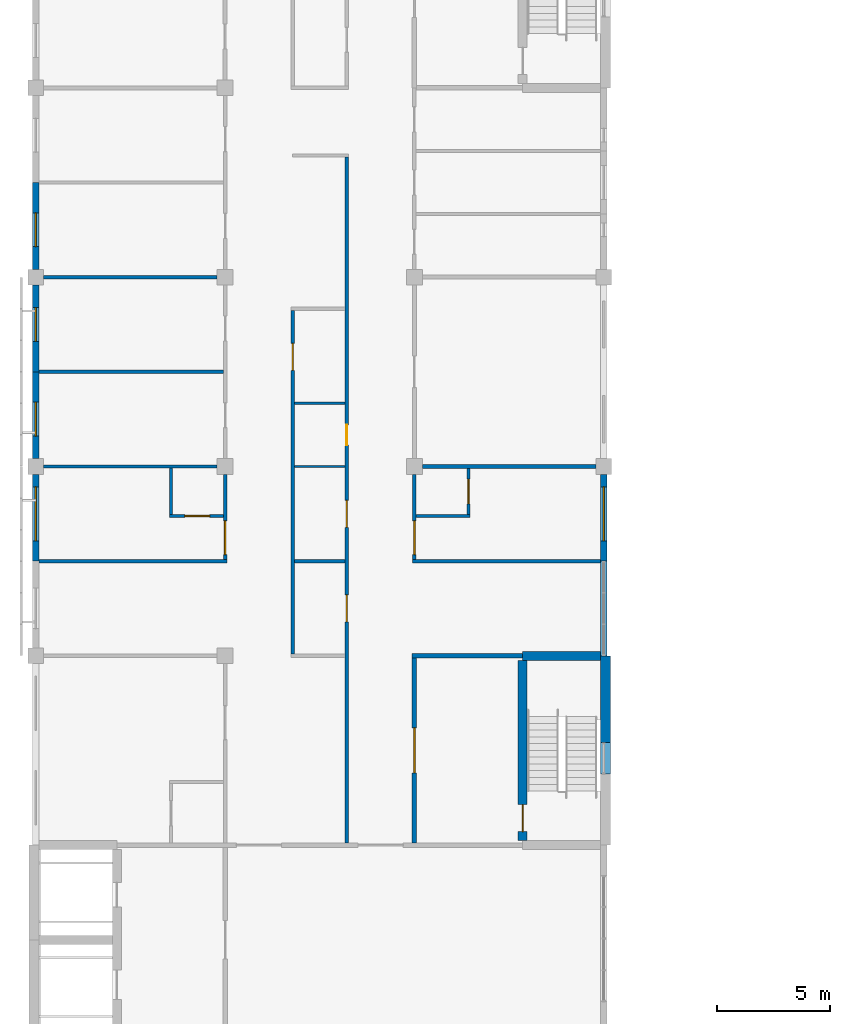
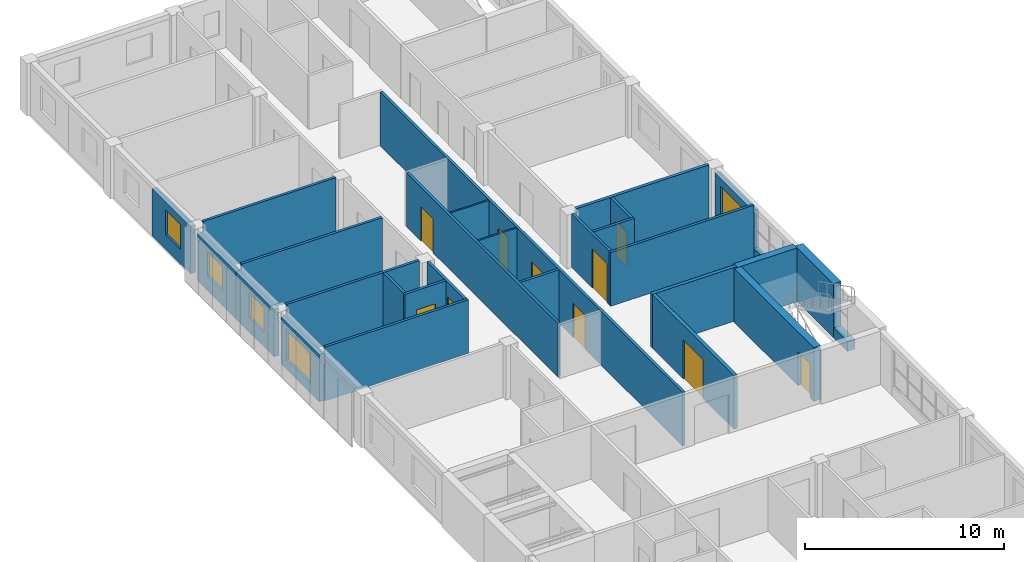
# One storey, part 35 of 48: 29 walls, 10 doors, 5 windows, 15 openings.
"""IFC4 building model written with IfcOpenShell, lengths in metres."""

import ifcopenshell
import ifcopenshell.guid

model = None  # the IFC model being written
_history = None  # IfcOwnerHistory: only IFC2X3 demands one
_inside = {}  # id of a spatial element -> (the spatial element, [elements in it])
_under = {}  # id of a project, library or spatial element -> (it, [spatial elements below it])
_declared = {}  # id of a project -> (the project, [libraries it declares])
_typed = {}  # id of a type object -> (the type object, [elements of that type])
_made_of = {}  # id of a material, layer set ... -> (it, [elements and type objects made of it])


def new_model(schema):
    """Start an empty IFC model of exactly this schema.

    Asked for "IFC4X3", IfcOpenShell would pick the latest addendum, in which some entities
    have other attributes; the version numbers below select the first issue.
    IFC2X3 requires an IfcOwnerHistory on every rooted entity: one is made here for all.
    """
    global model, _history
    if schema == "IFC4X3":
        model = ifcopenshell.file(schema_version=(4, 3, 0, 0))
    else:
        model = ifcopenshell.file(schema=schema)
    _inside.clear()
    _under.clear()
    _declared.clear()
    _typed.clear()
    _made_of.clear()
    _history = None
    if model.schema == "IFC2X3":
        org = make("IfcOrganization", Name="unknown")
        user = make(
            "IfcPersonAndOrganization",
            ThePerson=make("IfcPerson", FamilyName="unknown"),
            TheOrganization=org,
        )
        app = make(
            "IfcApplication",
            ApplicationDeveloper=org,
            Version="unknown",
            ApplicationFullName="unknown",
            ApplicationIdentifier="unknown",
        )
        _history = make(
            "IfcOwnerHistory",
            OwningUser=user,
            OwningApplication=app,
            ChangeAction="ADDED",
            CreationDate=0,
        )
    return model


def make(cls, **values):
    """One entity of the class cls with the attributes given. An attribute that is None is left unset."""
    return model.create_entity(
        cls, **{name: value for name, value in values.items() if value is not None}
    )


def rooted(cls, **values):
    """An entity with a GlobalId (a new one), such as an element, a storey or a relation."""
    return make(cls, GlobalId=ifcopenshell.guid.new(), OwnerHistory=_history, **values)


def si_unit(unit_type, name, prefix=None):
    """IfcSIUnit, for example si_unit("LENGTHUNIT", "METRE", prefix="MILLI")."""
    return make("IfcSIUnit", UnitType=unit_type, Prefix=prefix, Name=name)


def assignment(units):
    """IfcUnitAssignment: the units of a project."""
    return None if units is None else make("IfcUnitAssignment", Units=units)


def point(xyz):
    """IfcCartesianPoint."""
    return None if xyz is None else make("IfcCartesianPoint", Coordinates=xyz)


def direction(xyz):
    """IfcDirection."""
    return None if xyz is None else make("IfcDirection", DirectionRatios=xyz)


def frame(location, z_axis=None, x_axis=None):
    """IfcAxis2Placement3D, a coordinate frame: its origin and axes. An axis left out is left unset."""
    return make(
        "IfcAxis2Placement3D",
        Location=point(location),
        Axis=direction(z_axis),
        RefDirection=direction(x_axis),
    )


def frame_2d(location, x_axis=None):
    """IfcAxis2Placement2D, a coordinate frame in the plane: its origin and x axis."""
    return make(
        "IfcAxis2Placement2D", Location=point(location), RefDirection=direction(x_axis)
    )


def origin():
    """The frame at (0, 0, 0) with its axes left unset."""
    return frame((0.0, 0.0, 0.0))


def place(relative_to, where):
    """IfcLocalPlacement: puts the frame where relative to a parent placement (None: the world)."""
    return make(
        "IfcLocalPlacement", PlacementRelTo=relative_to, RelativePlacement=where
    )


def context(
    kind, dimensions, precision=None, world=None, true_north=None, identifier=None
):
    """IfcGeometricRepresentationContext, for example the 3D "Model" context."""
    return make(
        "IfcGeometricRepresentationContext",
        ContextIdentifier=identifier,
        ContextType=kind,
        CoordinateSpaceDimension=dimensions,
        Precision=precision,
        WorldCoordinateSystem=world,
        TrueNorth=true_north,
    )


def subcontext(parent, identifier, kind, view, scale=None):
    """IfcGeometricRepresentationSubContext, for example "Body" below "Model"."""
    return make(
        "IfcGeometricRepresentationSubContext",
        ContextIdentifier=identifier,
        ContextType=kind,
        ParentContext=parent,
        TargetScale=scale,
        TargetView=view,
    )


def project(units=None, contexts=None):
    """IfcProject with its units and contexts."""
    return rooted(
        "IfcProject",
        Name="project",
        RepresentationContexts=contexts,
        UnitsInContext=assignment(units),
    )


def spatial(cls, under=None, at=None, **own):
    """A site, building, storey or space (cls), placed at a placement, below another one or the project."""
    s = rooted(cls, ObjectPlacement=at, **own)
    if under is not None:
        _under.setdefault(under.id(), (under, []))[1].append(s)
    return s


def profile(cls, at=None, kind="AREA", **sizes):
    """A parametric profile (cls). Its sizes go by their IFC names, for example OverallWidth=200.0."""
    return make(cls, ProfileType=kind, Position=at, **sizes)


def rectangle(**sizes):
    """IfcRectangleProfileDef."""
    return profile("IfcRectangleProfileDef", **sizes)


def extrude(swept, where, along, depth):
    """IfcExtrudedAreaSolid: the profile swept, set in the frame where, extruded along a direction by depth."""
    return make(
        "IfcExtrudedAreaSolid",
        SweptArea=swept,
        Position=where,
        ExtrudedDirection=direction(along),
        Depth=depth,
    )


def shape(context_of_items, identifier, shape_type, items):
    """IfcShapeRepresentation: the items that make up one representation, for example the "Body"."""
    return make(
        "IfcShapeRepresentation",
        ContextOfItems=context_of_items,
        RepresentationIdentifier=identifier,
        RepresentationType=shape_type,
        Items=items,
    )


def material(Name=None, Category=None):
    """IfcMaterial."""
    return make("IfcMaterial", Name=Name, Category=Category)


def layer(
    of_material, thickness, ventilated=None, Name=None, Category=None, Priority=None
):
    """IfcMaterialLayer: one layer of a wall or slab, of a material (None: an air gap)."""
    return make(
        "IfcMaterialLayer",
        Material=of_material,
        LayerThickness=thickness,
        IsVentilated=ventilated,
        Name=Name,
        Category=Category,
        Priority=Priority,
    )


def layer_set(layers, Name=None):
    """IfcMaterialLayerSet."""
    return make("IfcMaterialLayerSet", MaterialLayers=layers, LayerSetName=Name)


def made_of(thing, what):
    """Note that an element or type object is made of a material, layer set ...; save() writes the relation."""
    if what is not None:
        _made_of.setdefault(what.id(), (what, []))[1].append(thing)
    return thing


def type_object(cls, material=None, **own):
    """A type object (cls), such as IfcWallType, which elements share."""
    return made_of(rooted(cls, **own), material)


def element(
    cls,
    number,
    at=None,
    inside=None,
    cuts=None,
    type_object=None,
    material=None,
    context=None,
    identifier="Body",
    shape_type=None,
    held_by="IfcProductDefinitionShape",
    body=None,
    shapes=None,
    **own,
):
    """One element of the class cls, such as IfcWall. Its Tag is "e" and its number.

    at: its placement. inside: the storey or other place that contains it. cuts: it is an
    opening in that element (IfcRelVoidsElement). A single representation is given by context,
    identifier, shape_type and body (its items); several are given by shapes. held_by: the class
    of the entity that holds the representations. save() writes the other relations.
    """
    e = rooted(cls, Tag="e%d" % number, ObjectPlacement=at, **own)
    if body is not None:
        shapes = [shape(context, identifier, shape_type, body)]
    if shapes is not None:
        e.Representation = make(held_by, Representations=shapes)
    if inside is not None:
        _inside.setdefault(inside.id(), (inside, []))[1].append(e)
    if cuts is not None:
        rooted(
            "IfcRelVoidsElement", RelatingBuildingElement=cuts, RelatedOpeningElement=e
        )
    if type_object is not None:
        _typed.setdefault(type_object.id(), (type_object, []))[1].append(e)
    return made_of(e, material)


def fill(opening, filler):
    """IfcRelFillsElement: the door or window that sits in an opening."""
    return rooted(
        "IfcRelFillsElement",
        RelatingOpeningElement=opening,
        RelatedBuildingElement=filler,
    )


def aggregate(whole, parts):
    """IfcRelAggregates: a whole, such as a stair, and the parts it consists of."""
    return rooted("IfcRelAggregates", RelatingObject=whole, RelatedObjects=parts)


def save(model, path):
    """Write the relations noted so far, then the file.

    IfcRelAggregates (storeys below a building ...), IfcRelContainedInSpatialStructure (elements
    in a storey), IfcRelDefinesByType, IfcRelAssociatesMaterial and IfcRelDeclares: one each for
    every whole, place, type object, material and project.
    """
    for whole, parts in _under.values():
        aggregate(whole, parts)
    for where, things in _inside.values():
        rooted(
            "IfcRelContainedInSpatialStructure",
            RelatedElements=things,
            RelatingStructure=where,
        )
    for kind, things in _typed.values():
        rooted("IfcRelDefinesByType", RelatedObjects=things, RelatingType=kind)
    for what, things in _made_of.values():
        rooted("IfcRelAssociatesMaterial", RelatedObjects=things, RelatingMaterial=what)
    for by, libraries in _declared.values():
        rooted("IfcRelDeclares", RelatingContext=by, RelatedDefinitions=libraries)
    model.write(path)


model = new_model("IFC4")

# Units and contexts
model_context = context("Model", 3, precision=1e-05, world=origin(), true_north=direction((0.0, 1.0)))
body_context = subcontext(model_context, "Body", "Model", "MODEL_VIEW")
ifc_project = project(units=[si_unit("LENGTHUNIT", "METRE"), si_unit("AREAUNIT", "SQUARE_METRE"), si_unit("VOLUMEUNIT", "CUBIC_METRE"), si_unit("PLANEANGLEUNIT", "RADIAN"), si_unit("MASSUNIT", "GRAM", prefix="KILO")], contexts=[model_context])

# Site, building, storey
site_placement = place(None, origin())
site = spatial("IfcSite", under=ifc_project, at=site_placement, CompositionType="ELEMENT")
building_placement = place(site_placement, origin())
building = spatial("IfcBuilding", under=site, at=building_placement, Name="Yavir Park General Hospital", CompositionType="ELEMENT")
storey_placement = place(building_placement, frame((0.0, 0.0, 26.10009765625)))
storey = spatial("IfcBuildingStorey", under=building, at=storey_placement, Name="L06", CompositionType="ELEMENT", Elevation=26.10009765625)

# Walls
ifc_material_1 = material(Name="Double-leaf gypsum board acoustic partition on staggered studs")
ifc_layer_1 = layer(ifc_material_1, 0.175048828125)
ifc_layer_set_1 = layer_set([ifc_layer_1], Name="Double-leaf gypsum board acoustic partition on staggered studs")
wall_type_1 = type_object("IfcWallType", Name="Acoustic partition 175", PredefinedType="PARTITIONING", material=ifc_layer_set_1)
wall_1_placement = place(storey_placement, frame((17.14990234375, 92.39990234375, 0.0), z_axis=(0.0, 0.0, 1.0), x_axis=(1.0, 0.0, 0.0)))
element("IfcWall", 1, at=wall_1_placement, inside=storey, type_object=wall_type_1, Name="AP175 L06-116", PredefinedType="PARTITIONING", context=body_context, shape_type="SweptSolid", body=[
    extrude(rectangle(XDim=7.7001953125, YDim=0.175048828125, at=frame_2d((3.85009765625, 0.0))), origin(), (0.0, 0.0, 1.0), 3.2998046875),
])
ifc_material_2 = material(Name="Double gypsum board fire partition on steel studs", Category="steel")
ifc_layer_2 = layer(ifc_material_2, 0.199951171875)
ifc_layer_set_2 = layer_set([ifc_layer_2], Name="Double gypsum board fire partition on steel studs")
wall_type_2 = type_object("IfcWallType", Name="Fire-rated partition 200, EI 60", PredefinedType="PARTITIONING", material=ifc_layer_set_2)
wall_2_placement = place(storey_placement, frame((16.699951171875, 84.0, 0.0), z_axis=(0.0, 0.0, 1.0), x_axis=(1.0, 0.0, 0.0)))
element("IfcWall", 2, at=wall_2_placement, inside=storey, type_object=wall_type_2, Name="FP20 L06-107", PredefinedType="PARTITIONING", context=body_context, shape_type="SweptSolid", body=[
    extrude(rectangle(XDim=4.900146484375, YDim=0.199951171875, at=frame_2d((2.4501953125, 0.0))), origin(), (0.0, 0.0, 1.0), 3.2998046875),
])

# Wall, opening, door
wall_3_placement = place(storey_placement, frame((16.800048828125, 75.699951171875, 0.0), z_axis=(0.0, 0.0, 1.0), x_axis=(0.0, 1.0, 0.0)))
wall_3 = element("IfcWall", 3, at=wall_3_placement, inside=storey, type_object=wall_type_2, Name="FP20 L06-181", PredefinedType="PARTITIONING", context=body_context, shape_type="SweptSolid", body=[
    extrude(rectangle(XDim=8.199951171875, YDim=0.199951171875, at=frame_2d((4.10009765625, 0.0))), origin(), (0.0, 0.0, 1.0), 3.2998046875),
])
opening_1_placement = place(wall_3_placement, frame((3.10009765625, 0.0, 0.0)))
opening_1 = element("IfcOpeningElement", 4, at=opening_1_placement, cuts=wall_3, Name="Opening L06.D120", PredefinedType="OPENING", context=body_context, shape_type="SweptSolid", body=[
    extrude(rectangle(XDim=2.0, YDim=2.39990234375, at=frame_2d((1.0, 1.199951171875))), frame((0.0, 0.10986328125, 0.0), z_axis=(0.0, -1.0, 0.0), x_axis=(1.0, 0.0, 0.0)), (0.0, 0.0, 1.0), 0.219970703125),
])
ifc_material_3 = material(Name="Steel frame, fire-resisting leaves with vision panels", Category="steel")
door_type_1 = type_object("IfcDoorType", Name="Double fire door with vision panels 2000 x 2400, EI 60", OperationType="DOUBLE_DOOR_SINGLE_SWING", PredefinedType="DOOR", material=ifc_material_3)
door_1_placement = place(opening_1_placement, origin())
door_1 = element("IfcDoor", 5, at=door_1_placement, inside=storey, type_object=door_type_1, Name="L06.D120", OperationType="SINGLE_SWING_LEFT", OverallHeight=2.39990234375, OverallWidth=2.0, PredefinedType="DOOR", context=body_context, shape_type="SweptSolid", body=[
    extrude(rectangle(XDim=2.0, YDim=2.39990234375, at=frame_2d((1.0, 1.199951171875))), frame((0.0, 0.030029296875, 0.0), z_axis=(0.0, -1.0, 0.0), x_axis=(1.0, 0.0, 0.0)), (0.0, 0.0, 1.0), 0.06005859375),
])
fill(opening_1, door_1)

# Walls
ifc_material_4 = material(Name="Gypsum board partition on steel studs", Category="steel")
ifc_layer_3 = layer(ifc_material_4, 0.10009765625)
ifc_layer_set_3 = layer_set([ifc_layer_3], Name="Gypsum board partition on steel studs")
wall_type_3 = type_object("IfcWallType", Name="Gypsum board partition 100", PredefinedType="PARTITIONING", material=ifc_layer_set_3)
for number, where, z_axis, x_axis, name in (
    (6, (11.47509765625, 92.39990234375, 0.0), (0.0, 0.0, 1.0), (1.0, 0.0, 0.0), "P10 L06-115"),
    (7, (11.47509765625, 95.199951171875, 0.0), (0.0, 0.0, 1.0), (1.0, 0.0, 0.0), "P10 L06-117"),
):
    element("IfcWall", number, at=place(storey_placement, frame(where, z_axis=z_axis, x_axis=x_axis)), inside=storey, type_object=wall_type_3, Name=name, PredefinedType="PARTITIONING", context=body_context, shape_type="SweptSolid", body=[
        extrude(rectangle(XDim=2.25, YDim=0.10009765625, at=frame_2d((1.125, 0.0))), origin(), (0.0, 0.0, 1.0), 3.2998046875),
    ])
ifc_material_5 = material(Name="Gypsum board partition on steel studs", Category="steel")
ifc_layer_4 = layer(ifc_material_5, 0.14990234375)
ifc_layer_set_4 = layer_set([ifc_layer_4], Name="Gypsum board partition on steel studs")
wall_type_4 = type_object("IfcWallType", Name="Gypsum board partition 150", PredefinedType="PARTITIONING", material=ifc_layer_set_4)
wall_4_placement = place(storey_placement, frame((0.14990234375, 88.199951171875, 0.0), z_axis=(0.0, 0.0, 1.0), x_axis=(1.0, 0.0, 0.0)))
element("IfcWall", 8, at=wall_4_placement, inside=storey, type_object=wall_type_4, Name="P15 L06-109", PredefinedType="PARTITIONING", context=body_context, shape_type="SweptSolid", body=[
    extrude(rectangle(XDim=8.3251953125, YDim=0.14990234375, at=frame_2d((4.16259765625, 0.0))), origin(), (0.0, 0.0, 1.0), 3.2998046875),
])
wall_5_placement = place(storey_placement, frame((11.47509765625, 88.199951171875, 0.0), z_axis=(0.0, 0.0, 1.0), x_axis=(1.0, 0.0, 0.0)))
element("IfcWall", 9, at=wall_5_placement, inside=storey, type_object=wall_type_4, Name="P15 L06-110", PredefinedType="PARTITIONING", context=body_context, shape_type="SweptSolid", body=[
    extrude(rectangle(XDim=2.25, YDim=0.14990234375, at=frame_2d((1.125, 0.0))), origin(), (0.0, 0.0, 1.0), 3.2998046875),
])
wall_6_placement = place(storey_placement, frame((16.72509765625, 88.199951171875, 0.0), z_axis=(0.0, 0.0, 1.0), x_axis=(1.0, 0.0, 0.0)))
element("IfcWall", 10, at=wall_6_placement, inside=storey, type_object=wall_type_4, Name="P15 L06-111", PredefinedType="PARTITIONING", context=body_context, shape_type="SweptSolid", body=[
    extrude(rectangle(XDim=8.324951171875, YDim=0.14990234375, at=frame_2d((4.16259765625, 0.0))), origin(), (0.0, 0.0, 1.0), 3.2998046875),
])

# Wall, opening, door
wall_7_placement = place(storey_placement, frame((5.925048828125, 90.199951171875, 0.0), z_axis=(0.0, 0.0, 1.0), x_axis=(1.0, 0.0, 0.0)))
wall_7 = element("IfcWall", 11, at=wall_7_placement, inside=storey, type_object=wall_type_4, Name="P15 L06-112", PredefinedType="PARTITIONING", context=body_context, shape_type="SweptSolid", body=[
    extrude(rectangle(XDim=2.39990234375, YDim=0.14990234375, at=frame_2d((1.199951171875, 0.0))), origin(), (0.0, 0.0, 1.0), 3.2998046875),
])
opening_2_placement = place(wall_7_placement, frame((0.6875, 0.0, 0.0)))
opening_2 = element("IfcOpeningElement", 12, at=opening_2_placement, cuts=wall_7, Name="Opening L06.D073", PredefinedType="OPENING", context=body_context, shape_type="SweptSolid", body=[
    extrude(rectangle(XDim=1.10009765625, YDim=2.10009765625, at=frame_2d((0.550048828125, 1.050048828125))), frame((0.0, 0.0849609375, 0.0), z_axis=(0.0, -1.0, 0.0), x_axis=(1.0, 0.0, 0.0)), (0.0, 0.0, 1.0), 0.169921875),
])
ifc_material_6 = material(Name="Hollow metal frame, solid-core timber leaf", Category="wood")
door_type_2 = type_object("IfcDoorType", Name="Single swing door 1100 x 2100", OperationType="SINGLE_SWING_LEFT", PredefinedType="DOOR", material=ifc_material_6)
door_2_placement = place(opening_2_placement, origin())
door_2 = element("IfcDoor", 13, at=door_2_placement, inside=storey, type_object=door_type_2, Name="L06.D073", OperationType="SINGLE_SWING_RIGHT", OverallHeight=2.10009765625, OverallWidth=1.10009765625, PredefinedType="DOOR", context=body_context, shape_type="SweptSolid", body=[
    extrude(rectangle(XDim=1.10009765625, YDim=2.10009765625, at=frame_2d((0.550048828125, 1.050048828125))), frame((0.0, 0.02490234375, 0.0), z_axis=(0.0, -1.0, 0.0), x_axis=(1.0, 0.0, 0.0)), (0.0, 0.0, 1.0), 0.050048828125),
])
fill(opening_2, door_2)

# Walls
wall_8_placement = place(storey_placement, frame((16.875, 90.199951171875, 0.0), z_axis=(0.0, 0.0, 1.0), x_axis=(1.0, 0.0, 0.0)))
element("IfcWall", 14, at=wall_8_placement, inside=storey, type_object=wall_type_4, Name="P15 L06-113", PredefinedType="PARTITIONING", context=body_context, shape_type="SweptSolid", body=[
    extrude(rectangle(XDim=2.39990234375, YDim=0.14990234375, at=frame_2d((1.199951171875, 0.0))), origin(), (0.0, 0.0, 1.0), 3.2998046875),
])
wall_9_placement = place(storey_placement, frame((0.35009765625, 92.39990234375, 0.0), z_axis=(0.0, 0.0, 1.0), x_axis=(1.0, 0.0, 0.0)))
element("IfcWall", 15, at=wall_9_placement, inside=storey, type_object=wall_type_4, Name="P15 L06-114", PredefinedType="PARTITIONING", context=body_context, shape_type="SweptSolid", body=[
    extrude(rectangle(XDim=7.699951171875, YDim=0.14990234375, at=frame_2d((3.85009765625, 0.0))), origin(), (0.0, 0.0, 1.0), 3.2998046875),
])
wall_10_placement = place(storey_placement, frame((0.14990234375, 96.60009765625, 0.0), z_axis=(0.0, 0.0, 1.0), x_axis=(1.0, 0.0, 0.0)))
element("IfcWall", 16, at=wall_10_placement, inside=storey, type_object=wall_type_4, Name="P15 L06-118", PredefinedType="PARTITIONING", context=body_context, shape_type="SweptSolid", body=[
    extrude(rectangle(XDim=8.175048828125, YDim=0.14990234375, at=frame_2d((4.08740234375, 0.0))), origin(), (0.0, 0.0, 1.0), 3.2998046875),
])
wall_11_placement = place(storey_placement, frame((0.35009765625, 100.800048828125, 0.0), z_axis=(0.0, 0.0, 1.0), x_axis=(1.0, 0.0, 0.0)))
element("IfcWall", 17, at=wall_11_placement, inside=storey, type_object=wall_type_4, Name="P15 L06-120", PredefinedType="PARTITIONING", context=body_context, shape_type="SweptSolid", body=[
    extrude(rectangle(XDim=7.699951171875, YDim=0.14990234375, at=frame_2d((3.85009765625, 0.0))), origin(), (0.0, 0.0, 1.0), 3.2998046875),
])
wall_12_placement = place(storey_placement, frame((6.0, 90.27490234375, 0.0), z_axis=(0.0, 0.0, 1.0), x_axis=(0.0, 1.0, 0.0)))
element("IfcWall", 18, at=wall_12_placement, inside=storey, type_object=wall_type_4, Name="P15 L06-145", PredefinedType="PARTITIONING", context=body_context, shape_type="SweptSolid", body=[
    extrude(rectangle(XDim=2.050048828125, YDim=0.14990234375, at=frame_2d((1.02490234375, 0.0))), origin(), (0.0, 0.0, 1.0), 3.2998046875),
])

# Wall, opening, door
wall_13_placement = place(storey_placement, frame((8.39990234375, 88.27490234375, 0.0), z_axis=(0.0, 0.0, 1.0), x_axis=(0.0, 1.0, 0.0)))
wall_13 = element("IfcWall", 19, at=wall_13_placement, inside=storey, type_object=wall_type_4, Name="P15 L06-157", PredefinedType="PARTITIONING", context=body_context, shape_type="SweptSolid", body=[
    extrude(rectangle(XDim=3.775146484375, YDim=0.14990234375, at=frame_2d((1.8876953125, 0.0))), origin(), (0.0, 0.0, 1.0), 3.2998046875),
])
opening_3_placement = place(wall_13_placement, frame((0.21240234375, 0.0, 0.0)))
opening_3 = element("IfcOpeningElement", 20, at=opening_3_placement, cuts=wall_13, Name="Opening L06.D095", PredefinedType="OPENING", context=body_context, shape_type="SweptSolid", body=[
    extrude(rectangle(XDim=1.5, YDim=2.39990234375, at=frame_2d((0.75, 1.199951171875))), frame((0.0, 0.0849609375, 0.0), z_axis=(0.0, -1.0, 0.0), x_axis=(1.0, 0.0, 0.0)), (0.0, 0.0, 1.0), 0.169921875),
])
ifc_material_7 = material(Name="Solid-core timber leaves, push plates, kick plates", Category="wood")
door_type_3 = type_object("IfcDoorType", Name="Bed door, unequal leaves 1500 x 2400", OperationType="DOUBLE_DOOR_SINGLE_SWING", PredefinedType="DOOR", material=ifc_material_7)
door_3_placement = place(opening_3_placement, origin())
door_3 = element("IfcDoor", 21, at=door_3_placement, inside=storey, type_object=door_type_3, Name="L06.D095", OperationType="SINGLE_SWING_LEFT", OverallHeight=2.39990234375, OverallWidth=1.5, PredefinedType="DOOR", context=body_context, shape_type="SweptSolid", body=[
    extrude(rectangle(XDim=1.5, YDim=2.39990234375, at=frame_2d((0.75, 1.199951171875))), frame((0.0, 0.030029296875, 0.0), z_axis=(0.0, -1.0, 0.0), x_axis=(1.0, 0.0, 0.0)), (0.0, 0.0, 1.0), 0.06005859375),
])
fill(opening_3, door_3)

wall_14_placement = place(storey_placement, frame((11.39990234375, 84.074951171875, 0.0), z_axis=(0.0, 0.0, 1.0), x_axis=(0.0, 1.0, 0.0)))
wall_14 = element("IfcWall", 22, at=wall_14_placement, inside=storey, type_object=wall_type_4, Name="P15 L06-166", PredefinedType="PARTITIONING", context=body_context, shape_type="SweptSolid", body=[
    extrude(rectangle(XDim=15.25, YDim=0.14990234375, at=frame_2d((7.625, 0.0))), origin(), (0.0, 0.0, 1.0), 3.2998046875),
])
opening_4_placement = place(wall_14_placement, frame((12.58740234375, 0.0, 0.0)))
opening_4 = element("IfcOpeningElement", 23, at=opening_4_placement, cuts=wall_14, Name="Opening L06.D106", PredefinedType="OPENING", context=body_context, shape_type="SweptSolid", body=[
    extrude(rectangle(XDim=1.199951171875, YDim=2.10009765625, at=frame_2d((0.60009765625, 1.050048828125))), frame((0.0, 0.0849609375, 0.0), z_axis=(0.0, -1.0, 0.0), x_axis=(1.0, 0.0, 0.0)), (0.0, 0.0, 1.0), 0.169921875),
])
ifc_material_8 = material(Name="Hollow metal frame, solid-core timber leaf", Category="wood")
door_type_4 = type_object("IfcDoorType", Name="Single swing door 1200 x 2100", OperationType="SINGLE_SWING_LEFT", PredefinedType="DOOR", material=ifc_material_8)
door_4_placement = place(opening_4_placement, origin())
door_4 = element("IfcDoor", 24, at=door_4_placement, inside=storey, type_object=door_type_4, Name="L06.D106", OperationType="SINGLE_SWING_LEFT", OverallHeight=2.10009765625, OverallWidth=1.199951171875, PredefinedType="DOOR", context=body_context, shape_type="SweptSolid", body=[
    extrude(rectangle(XDim=1.199951171875, YDim=2.10009765625, at=frame_2d((0.60009765625, 1.050048828125))), frame((0.0, 0.02490234375, 0.0), z_axis=(0.0, -1.0, 0.0), x_axis=(1.0, 0.0, 0.0)), (0.0, 0.0, 1.0), 0.050048828125),
])
fill(opening_4, door_4)

# Wall, openings, doors
wall_15_placement = place(storey_placement, frame((13.800048828125, 75.699951171875, 0.0), z_axis=(0.0, 0.0, 1.0), x_axis=(0.0, 1.0, 0.0)))
wall_15 = element("IfcWall", 25, at=wall_15_placement, inside=storey, type_object=wall_type_4, Name="P15 L06-171", PredefinedType="PARTITIONING", context=body_context, shape_type="SweptSolid", body=[
    extrude(rectangle(XDim=30.425048828125, YDim=0.14990234375, at=frame_2d((15.21240234375, 0.0))), origin(), (0.0, 0.0, 1.0), 3.2998046875),
])
opening_5_placement = place(wall_15_placement, frame((9.800048828125, 0.0, 0.0)))
opening_5 = element("IfcOpeningElement", 26, at=opening_5_placement, cuts=wall_15, Name="Opening L06.D110", PredefinedType="OPENING", context=body_context, shape_type="SweptSolid", body=[
    extrude(rectangle(XDim=1.199951171875, YDim=2.10009765625, at=frame_2d((0.60009765625, 1.050048828125))), frame((0.0, 0.0849609375, 0.0), z_axis=(0.0, -1.0, 0.0), x_axis=(1.0, 0.0, 0.0)), (0.0, 0.0, 1.0), 0.169921875),
])
opening_6_placement = place(wall_15_placement, frame((14.0, 0.0, 0.0)))
opening_6 = element("IfcOpeningElement", 27, at=opening_6_placement, cuts=wall_15, Name="Opening L06.D111", PredefinedType="OPENING", context=body_context, shape_type="SweptSolid", body=[
    extrude(rectangle(XDim=1.199951171875, YDim=2.10009765625, at=frame_2d((0.60009765625, 1.050048828125))), frame((0.0, 0.0849609375, 0.0), z_axis=(0.0, -1.0, 0.0), x_axis=(1.0, 0.0, 0.0)), (0.0, 0.0, 1.0), 0.169921875),
])
opening_7_placement = place(wall_15_placement, frame((17.64990234375, 0.0, 0.0)))
opening_7 = element("IfcOpeningElement", 28, at=opening_7_placement, cuts=wall_15, Name="Opening L06.D112", PredefinedType="OPENING", context=body_context, shape_type="SweptSolid", body=[
    extrude(rectangle(XDim=0.89990234375, YDim=2.10009765625, at=frame_2d((0.449951171875, 1.050048828125))), frame((0.0, 0.0849609375, 0.0), z_axis=(0.0, -1.0, 0.0), x_axis=(1.0, 0.0, 0.0)), (0.0, 0.0, 1.0), 0.169921875),
])
ifc_material_9 = material(Name="Timber frame, hollow-core leaf", Category="wood")
door_type_5 = type_object("IfcDoorType", Name="Light cupboard door 900 x 2100", OperationType="SINGLE_SWING_LEFT", PredefinedType="DOOR", material=ifc_material_9)
door_5_placement = place(opening_7_placement, origin())
door_5 = element("IfcDoor", 29, at=door_5_placement, inside=storey, type_object=door_type_5, Name="L06.D112", OperationType="SINGLE_SWING_RIGHT", OverallHeight=2.10009765625, OverallWidth=0.89990234375, PredefinedType="DOOR", context=body_context, shape_type="SweptSolid", body=[
    extrude(rectangle(XDim=0.89990234375, YDim=2.10009765625, at=frame_2d((0.449951171875, 1.050048828125))), frame((0.0, 0.02001953125, 0.0), z_axis=(0.0, -1.0, 0.0), x_axis=(1.0, 0.0, 0.0)), (0.0, 0.0, 1.0), 0.0400390625),
])
fill(opening_7, door_5)
door_6_placement = place(opening_5_placement, origin())
door_6 = element("IfcDoor", 30, at=door_6_placement, inside=storey, type_object=door_type_4, Name="L06.D110", OperationType="SINGLE_SWING_RIGHT", OverallHeight=2.10009765625, OverallWidth=1.199951171875, PredefinedType="DOOR", context=body_context, shape_type="SweptSolid", body=[
    extrude(rectangle(XDim=1.199951171875, YDim=2.10009765625, at=frame_2d((0.60009765625, 1.050048828125))), frame((0.0, 0.02490234375, 0.0), z_axis=(0.0, -1.0, 0.0), x_axis=(1.0, 0.0, 0.0)), (0.0, 0.0, 1.0), 0.050048828125),
])
fill(opening_5, door_6)
door_7_placement = place(opening_6_placement, origin())
door_7 = element("IfcDoor", 31, at=door_7_placement, inside=storey, type_object=door_type_4, Name="L06.D111", OperationType="SINGLE_SWING_RIGHT", OverallHeight=2.10009765625, OverallWidth=1.199951171875, PredefinedType="DOOR", context=body_context, shape_type="SweptSolid", body=[
    extrude(rectangle(XDim=1.199951171875, YDim=2.10009765625, at=frame_2d((0.60009765625, 1.050048828125))), frame((0.0, 0.02490234375, 0.0), z_axis=(0.0, -1.0, 0.0), x_axis=(1.0, 0.0, 0.0)), (0.0, 0.0, 1.0), 0.050048828125),
])
fill(opening_6, door_7)

# Wall, opening, door
wall_16_placement = place(storey_placement, frame((16.800048828125, 88.27490234375, 0.0), z_axis=(0.0, 0.0, 1.0), x_axis=(0.0, 1.0, 0.0)))
wall_16 = element("IfcWall", 32, at=wall_16_placement, inside=storey, type_object=wall_type_4, Name="P15 L06-182", PredefinedType="PARTITIONING", context=body_context, shape_type="SweptSolid", body=[
    extrude(rectangle(XDim=3.775146484375, YDim=0.14990234375, at=frame_2d((1.8876953125, 0.0))), origin(), (0.0, 0.0, 1.0), 3.2998046875),
])
opening_8_placement = place(wall_16_placement, frame((0.21240234375, 0.0, 0.0)))
opening_8 = element("IfcOpeningElement", 33, at=opening_8_placement, cuts=wall_16, Name="Opening L06.D121", PredefinedType="OPENING", context=body_context, shape_type="SweptSolid", body=[
    extrude(rectangle(XDim=1.5, YDim=2.39990234375, at=frame_2d((0.75, 1.199951171875))), frame((0.0, 0.0849609375, 0.0), z_axis=(0.0, -1.0, 0.0), x_axis=(1.0, 0.0, 0.0)), (0.0, 0.0, 1.0), 0.169921875),
])
door_8_placement = place(opening_8_placement, origin())
door_8 = element("IfcDoor", 34, at=door_8_placement, inside=storey, type_object=door_type_3, Name="L06.D121", OperationType="SINGLE_SWING_RIGHT", OverallHeight=2.39990234375, OverallWidth=1.5, PredefinedType="DOOR", context=body_context, shape_type="SweptSolid", body=[
    extrude(rectangle(XDim=1.5, YDim=2.39990234375, at=frame_2d((0.75, 1.199951171875))), frame((0.0, 0.030029296875, 0.0), z_axis=(0.0, -1.0, 0.0), x_axis=(1.0, 0.0, 0.0)), (0.0, 0.0, 1.0), 0.06005859375),
])
fill(opening_8, door_8)

wall_17_placement = place(storey_placement, frame((19.199951171875, 90.27490234375, 0.0), z_axis=(0.0, 0.0, 1.0), x_axis=(0.0, 1.0, 0.0)))
wall_17 = element("IfcWall", 35, at=wall_17_placement, inside=storey, type_object=wall_type_4, Name="P15 L06-191", PredefinedType="PARTITIONING", context=body_context, shape_type="SweptSolid", body=[
    extrude(rectangle(XDim=2.03759765625, YDim=0.14990234375, at=frame_2d((1.018798828125, 0.0))), origin(), (0.0, 0.0, 1.0), 3.2998046875),
])
opening_9_placement = place(wall_17_placement, frame((0.46875, 0.0, 0.0)))
opening_9 = element("IfcOpeningElement", 36, at=opening_9_placement, cuts=wall_17, Name="Opening L06.D132", PredefinedType="OPENING", context=body_context, shape_type="SweptSolid", body=[
    extrude(rectangle(XDim=1.10009765625, YDim=2.10009765625, at=frame_2d((0.550048828125, 1.050048828125))), frame((0.0, 0.0849609375, 0.0), z_axis=(0.0, -1.0, 0.0), x_axis=(1.0, 0.0, 0.0)), (0.0, 0.0, 1.0), 0.169921875),
])
door_9_placement = place(opening_9_placement, origin())
door_9 = element("IfcDoor", 37, at=door_9_placement, inside=storey, type_object=door_type_2, Name="L06.D132", OperationType="SINGLE_SWING_RIGHT", OverallHeight=2.10009765625, OverallWidth=1.10009765625, PredefinedType="DOOR", context=body_context, shape_type="SweptSolid", body=[
    extrude(rectangle(XDim=1.10009765625, YDim=2.10009765625, at=frame_2d((0.550048828125, 1.050048828125))), frame((0.0, 0.02490234375, 0.0), z_axis=(0.0, -1.0, 0.0), x_axis=(1.0, 0.0, 0.0)), (0.0, 0.0, 1.0), 0.050048828125),
])
fill(opening_9, door_9)

# Wall, opening, window
ifc_material_10 = material(Name="Autoclaved aerated block, mineral wool and ochre mineral render")
ifc_layer_5 = layer(ifc_material_10, 0.300048828125)
ifc_layer_set_5 = layer_set([ifc_layer_5], Name="Autoclaved aerated block, mineral wool and ochre mineral render")
wall_type_5 = type_object("IfcWallType", Name="Ochre render ward wall 300, E 30", PredefinedType="SOLIDWALL", material=ifc_layer_set_5)
wall_18_placement = place(storey_placement, frame((0.0, 88.199951171875, 0.0), z_axis=(0.0, 0.0, 1.0), x_axis=(0.0, 1.0, 0.0)))
wall_18 = element("IfcWall", 38, at=wall_18_placement, inside=storey, type_object=wall_type_5, Name="XW7 L06-092", PredefinedType="SOLIDWALL", context=body_context, shape_type="SweptSolid", body=[
    extrude(rectangle(XDim=3.85009765625, YDim=0.300048828125, at=frame_2d((1.925048828125, 0.0))), origin(), (0.0, 0.0, 1.0), 2.89990234375),
])
opening_10_placement = place(wall_18_placement, frame((0.89990234375, 0.0, 0.60009765625)))
opening_10 = element("IfcOpeningElement", 39, at=opening_10_placement, cuts=wall_18, Name="Opening WR", PredefinedType="OPENING", context=body_context, shape_type="SweptSolid", body=[
    extrude(rectangle(XDim=2.39990234375, YDim=1.800048828125, at=frame_2d((1.199951171875, 0.89990234375))), frame((0.0, 0.159912109375, 0.0), z_axis=(0.0, -1.0, 0.0), x_axis=(1.0, 0.0, 0.0)), (0.0, 0.0, 1.0), 0.320068359375),
])
ifc_material_11 = material(Name="Aluminium frame, double glazed unit", Category="aluminium")
window_type_1 = type_object("IfcWindowType", Name="Therapy room window 2400 x 1800", PartitioningType="DOUBLE_PANEL_VERTICAL", PredefinedType="WINDOW", material=ifc_material_11)
window_1_placement = place(opening_10_placement, origin())
window_1 = element("IfcWindow", 40, at=window_1_placement, inside=storey, type_object=window_type_1, Name="WR L06-036", OverallHeight=1.800048828125, OverallWidth=2.39990234375, PartitioningType="DOUBLE_PANEL_VERTICAL", PredefinedType="WINDOW", context=body_context, shape_type="SweptSolid", body=[
    extrude(rectangle(XDim=2.39990234375, YDim=1.800048828125, at=frame_2d((1.199951171875, 0.89990234375))), frame((0.0, 0.030029296875, 0.0), z_axis=(0.0, -1.0, 0.0), x_axis=(1.0, 0.0, 0.0)), (0.0, 0.0, 1.0), 0.06005859375),
])
fill(opening_10, window_1)

wall_19_placement = place(storey_placement, frame((0.0, 92.75, 0.0), z_axis=(0.0, 0.0, 1.0), x_axis=(0.0, 1.0, 0.0)))
wall_19 = element("IfcWall", 41, at=wall_19_placement, inside=storey, type_object=wall_type_5, Name="XW7 L06-093", PredefinedType="SOLIDWALL", context=body_context, shape_type="SweptSolid", body=[
    extrude(rectangle(XDim=3.85009765625, YDim=0.300048828125, at=frame_2d((1.925048828125, 0.0))), origin(), (0.0, 0.0, 1.0), 2.89990234375),
])
opening_11_placement = place(wall_19_placement, frame((1.0, 0.0, 0.89990234375)))
opening_11 = element("IfcOpeningElement", 42, at=opening_11_placement, cuts=wall_19, Name="Opening WC", PredefinedType="OPENING", context=body_context, shape_type="SweptSolid", body=[
    extrude(rectangle(XDim=1.5, YDim=1.5, at=frame_2d((0.75, 0.75))), frame((0.0, 0.159912109375, 0.0), z_axis=(0.0, -1.0, 0.0), x_axis=(1.0, 0.0, 0.0)), (0.0, 0.0, 1.0), 0.320068359375),
])
ifc_material_12 = material(Name="Aluminium frame, double glazed unit", Category="aluminium")
window_type_2 = type_object("IfcWindowType", Name="Consulting room window 1500 x 1500", PartitioningType="SINGLE_PANEL", PredefinedType="WINDOW", material=ifc_material_12)
window_2_placement = place(opening_11_placement, origin())
window_2 = element("IfcWindow", 43, at=window_2_placement, inside=storey, type_object=window_type_2, Name="WC L06-037", OverallHeight=1.5, OverallWidth=1.5, PartitioningType="SINGLE_PANEL", PredefinedType="WINDOW", context=body_context, shape_type="SweptSolid", body=[
    extrude(rectangle(XDim=1.5, YDim=1.5, at=frame_2d((0.75, 0.75))), frame((0.0, 0.030029296875, 0.0), z_axis=(0.0, -1.0, 0.0), x_axis=(1.0, 0.0, 0.0)), (0.0, 0.0, 1.0), 0.06005859375),
])
fill(opening_11, window_2)

wall_20_placement = place(storey_placement, frame((0.0, 96.60009765625, 0.0), z_axis=(0.0, 0.0, 1.0), x_axis=(0.0, 1.0, 0.0)))
wall_20 = element("IfcWall", 44, at=wall_20_placement, inside=storey, type_object=wall_type_5, Name="XW7 L06-094", PredefinedType="SOLIDWALL", context=body_context, shape_type="SweptSolid", body=[
    extrude(rectangle(XDim=3.849853515625, YDim=0.300048828125, at=frame_2d((1.9248046875, 0.0))), origin(), (0.0, 0.0, 1.0), 2.89990234375),
])
opening_12_placement = place(wall_20_placement, frame((1.35009765625, 0.0, 0.89990234375)))
opening_12 = element("IfcOpeningElement", 45, at=opening_12_placement, cuts=wall_20, Name="Opening WC", PredefinedType="OPENING", context=body_context, shape_type="SweptSolid", body=[
    extrude(rectangle(XDim=1.5, YDim=1.5, at=frame_2d((0.75, 0.75))), frame((0.0, 0.159912109375, 0.0), z_axis=(0.0, -1.0, 0.0), x_axis=(1.0, 0.0, 0.0)), (0.0, 0.0, 1.0), 0.320068359375),
])
window_3_placement = place(opening_12_placement, origin())
window_3 = element("IfcWindow", 46, at=window_3_placement, inside=storey, type_object=window_type_2, Name="WC L06-038", OverallHeight=1.5, OverallWidth=1.5, PartitioningType="SINGLE_PANEL", PredefinedType="WINDOW", context=body_context, shape_type="SweptSolid", body=[
    extrude(rectangle(XDim=1.5, YDim=1.5, at=frame_2d((0.75, 0.75))), frame((0.0, 0.030029296875, 0.0), z_axis=(0.0, -1.0, 0.0), x_axis=(1.0, 0.0, 0.0)), (0.0, 0.0, 1.0), 0.06005859375),
])
fill(opening_12, window_3)

wall_21_placement = place(storey_placement, frame((0.0, 101.14990234375, 0.0), z_axis=(0.0, 0.0, 1.0), x_axis=(0.0, 1.0, 0.0)))
wall_21 = element("IfcWall", 47, at=wall_21_placement, inside=storey, type_object=wall_type_5, Name="XW7 L06-095", PredefinedType="SOLIDWALL", context=body_context, shape_type="SweptSolid", body=[
    extrude(rectangle(XDim=3.85009765625, YDim=0.300048828125, at=frame_2d((1.925048828125, 0.0))), origin(), (0.0, 0.0, 1.0), 2.89990234375),
])
opening_13_placement = place(wall_21_placement, frame((1.0, 0.0, 0.89990234375)))
opening_13 = element("IfcOpeningElement", 48, at=opening_13_placement, cuts=wall_21, Name="Opening WC", PredefinedType="OPENING", context=body_context, shape_type="SweptSolid", body=[
    extrude(rectangle(XDim=1.5, YDim=1.5, at=frame_2d((0.75, 0.75))), frame((0.0, 0.159912109375, 0.0), z_axis=(0.0, -1.0, 0.0), x_axis=(1.0, 0.0, 0.0)), (0.0, 0.0, 1.0), 0.320068359375),
])
window_4_placement = place(opening_13_placement, origin())
window_4 = element("IfcWindow", 49, at=window_4_placement, inside=storey, type_object=window_type_2, Name="WC L06-039", OverallHeight=1.5, OverallWidth=1.5, PartitioningType="SINGLE_PANEL", PredefinedType="WINDOW", context=body_context, shape_type="SweptSolid", body=[
    extrude(rectangle(XDim=1.5, YDim=1.5, at=frame_2d((0.75, 0.75))), frame((0.0, 0.030029296875, 0.0), z_axis=(0.0, -1.0, 0.0), x_axis=(1.0, 0.0, 0.0)), (0.0, 0.0, 1.0), 0.06005859375),
])
fill(opening_13, window_4)

# Wall
wall_22_placement = place(storey_placement, frame((25.199951171875, 84.0, 0.0), z_axis=(0.0, 0.0, 1.0), x_axis=(0.0, 1.0, 0.0)))
element("IfcWall", 50, at=wall_22_placement, inside=storey, type_object=wall_type_5, Name="XW7 L06-117", PredefinedType="SOLIDWALL", context=body_context, shape_type="SweptSolid", body=[
    extrude(rectangle(XDim=4.199951171875, YDim=0.300048828125, at=frame_2d((2.10009765625, 0.0))), origin(), (0.0, 0.0, 1.0), 0.599853515625),
])

# Wall, opening, window
wall_23_placement = place(storey_placement, frame((25.199951171875, 88.199951171875, 0.0), z_axis=(0.0, 0.0, 1.0), x_axis=(0.0, 1.0, 0.0)))
wall_23 = element("IfcWall", 51, at=wall_23_placement, inside=storey, type_object=wall_type_5, Name="XW7 L06-118", PredefinedType="SOLIDWALL", context=body_context, shape_type="SweptSolid", body=[
    extrude(rectangle(XDim=3.85009765625, YDim=0.300048828125, at=frame_2d((1.925048828125, 0.0))), origin(), (0.0, 0.0, 1.0), 2.89990234375),
])
opening_14_placement = place(wall_23_placement, frame((0.89990234375, 0.0, 0.60009765625)))
opening_14 = element("IfcOpeningElement", 52, at=opening_14_placement, cuts=wall_23, Name="Opening WR", PredefinedType="OPENING", context=body_context, shape_type="SweptSolid", body=[
    extrude(rectangle(XDim=2.39990234375, YDim=1.800048828125, at=frame_2d((1.199951171875, 0.89990234375))), frame((0.0, 0.159912109375, 0.0), z_axis=(0.0, -1.0, 0.0), x_axis=(1.0, 0.0, 0.0)), (0.0, 0.0, 1.0), 0.320068359375),
])
window_5_placement = place(opening_14_placement, origin())
window_5 = element("IfcWindow", 53, at=window_5_placement, inside=storey, type_object=window_type_1, Name="WR L06-049", OverallHeight=1.800048828125, OverallWidth=2.39990234375, PartitioningType="DOUBLE_PANEL_VERTICAL", PredefinedType="WINDOW", context=body_context, shape_type="SweptSolid", body=[
    extrude(rectangle(XDim=2.39990234375, YDim=1.800048828125, at=frame_2d((1.199951171875, 0.89990234375))), frame((0.0, 0.030029296875, 0.0), z_axis=(0.0, -1.0, 0.0), x_axis=(1.0, 0.0, 0.0)), (0.0, 0.0, 1.0), 0.06005859375),
])
fill(opening_14, window_5)

# Wall
ifc_material_13 = material(Name="Concrete C35/45", Category="concrete")
ifc_layer_6 = layer(ifc_material_13, 0.39990234375)
ifc_layer_set_6 = layer_set([ifc_layer_6], Name="Concrete C35/45")
wall_type_6 = type_object("IfcWallType", Name="Reinforced concrete core wall 400, REI 150", PredefinedType="SHEAR", material=ifc_layer_set_6)
wall_24_placement = place(storey_placement, frame((21.60009765625, 84.0, 0.0), z_axis=(0.0, 0.0, 1.0), x_axis=(1.0, 0.0, 0.0)))
element("IfcWall", 54, at=wall_24_placement, inside=storey, type_object=wall_type_6, Name="CW40 L06-108", PredefinedType="SHEAR", context=body_context, shape_type="SweptSolid", body=[
    extrude(rectangle(XDim=3.449951171875, YDim=0.39990234375, at=frame_2d((1.72509765625, 0.0))), origin(), (0.0, 0.0, 1.0), 3.2998046875),
])

# Wall, opening, door
wall_25_placement = place(storey_placement, frame((21.60009765625, 75.800048828125, 0.0), z_axis=(0.0, 0.0, 1.0), x_axis=(0.0, 1.0, 0.0)))
wall_25 = element("IfcWall", 55, at=wall_25_placement, inside=storey, type_object=wall_type_6, Name="CW40 L06-196", PredefinedType="SHEAR", context=body_context, shape_type="SweptSolid", body=[
    extrude(rectangle(XDim=8.0, YDim=0.39990234375, at=frame_2d((4.0, 0.0))), origin(), (0.0, 0.0, 1.0), 3.2998046875),
])
opening_15_placement = place(wall_25_placement, frame((0.39990234375, 0.0, 0.0)))
opening_15 = element("IfcOpeningElement", 56, at=opening_15_placement, cuts=wall_25, Name="Opening L06.D134", PredefinedType="OPENING", context=body_context, shape_type="SweptSolid", body=[
    extrude(rectangle(XDim=1.199951171875, YDim=2.10009765625, at=frame_2d((0.60009765625, 1.050048828125))), frame((0.0, 0.2099609375, 0.0), z_axis=(0.0, -1.0, 0.0), x_axis=(1.0, 0.0, 0.0)), (0.0, 0.0, 1.0), 0.419921875),
])
ifc_material_14 = material(Name="Steel frame, fire-resisting timber leaf", Category="steel")
door_type_6 = type_object("IfcDoorType", Name="Fire door 1200 x 2100, EI 60", OperationType="SINGLE_SWING_LEFT", PredefinedType="DOOR", material=ifc_material_14)
door_10_placement = place(opening_15_placement, origin())
door_10 = element("IfcDoor", 57, at=door_10_placement, inside=storey, type_object=door_type_6, Name="L06.D134", OperationType="SINGLE_SWING_LEFT", OverallHeight=2.10009765625, OverallWidth=1.199951171875, PredefinedType="DOOR", context=body_context, shape_type="SweptSolid", body=[
    extrude(rectangle(XDim=1.199951171875, YDim=2.10009765625, at=frame_2d((0.60009765625, 1.050048828125))), frame((0.0, 0.02490234375, 0.0), z_axis=(0.0, -1.0, 0.0), x_axis=(1.0, 0.0, 0.0)), (0.0, 0.0, 1.0), 0.050048828125),
])
fill(opening_15, door_10)

# Walls
ifc_material_15 = material(Name="Concrete C30/37 precast panel with 150 mm mineral wool insulation", Category="concrete")
ifc_layer_7 = layer(ifc_material_15, 0.449951171875)
ifc_layer_set_7 = layer_set([ifc_layer_7], Name="Concrete C30/37 precast panel with 150 mm mineral wool insulation")
wall_type_7 = type_object("IfcWallType", Name="Stair enclosure wall 450, REI 150", PredefinedType="SOLIDWALL", material=ifc_layer_set_7)
wall_26_placement = place(storey_placement, frame((25.27490234375, 80.14990234375, 0.0), z_axis=(0.0, 0.0, 1.0), x_axis=(0.0, 1.0, 0.0)))
element("IfcWall", 58, at=wall_26_placement, inside=storey, type_object=wall_type_7, Name="XW6 L06-115", PredefinedType="SOLIDWALL", context=body_context, shape_type="SweptSolid", body=[
    extrude(rectangle(XDim=3.85009765625, YDim=0.449951171875, at=frame_2d((1.925048828125, 0.0))), origin(), (0.0, 0.0, 1.0), 3.2998046875),
])
wall_27_placement = place(storey_placement, frame((25.27490234375, 78.75, 0.0), z_axis=(0.0, 0.0, 1.0), x_axis=(0.0, 1.0, 0.0)))
element("IfcWall", 59, at=wall_27_placement, inside=storey, type_object=wall_type_7, Name="XW6 L06-116", PredefinedType="SOLIDWALL", context=body_context, shape_type="SweptSolid", body=[
    extrude(rectangle(XDim=1.39990234375, YDim=0.449951171875, at=frame_2d((0.699951171875, 0.0))), origin(), (0.0, 0.0, 1.0), 0.599853515625),
])

save(model, "model.ifc")
